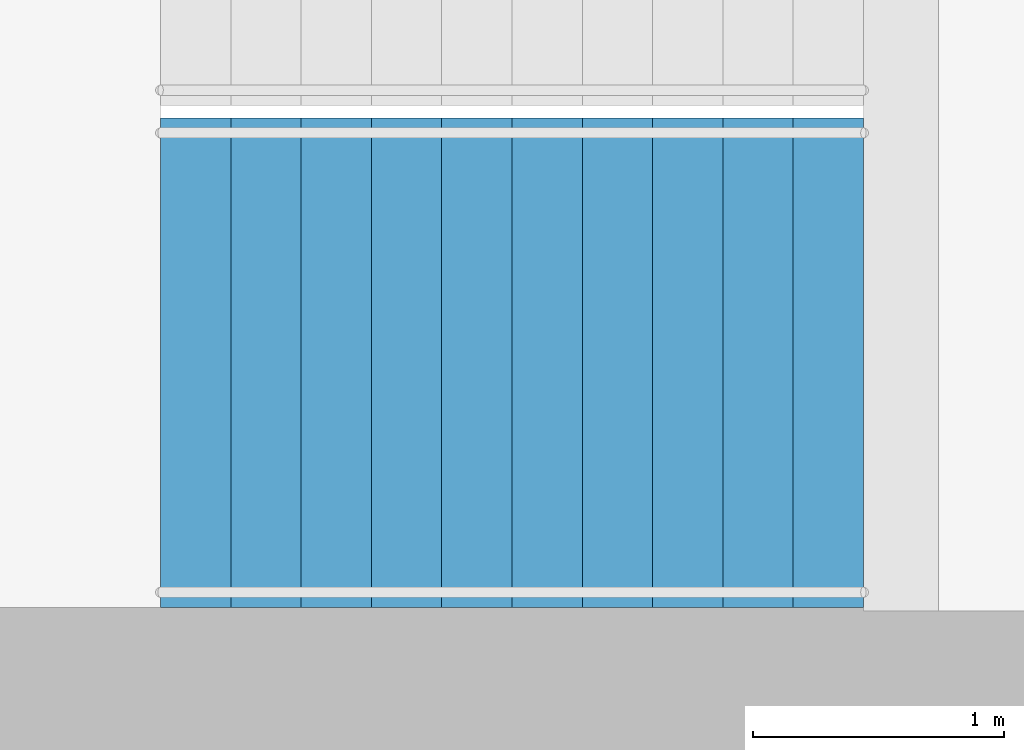
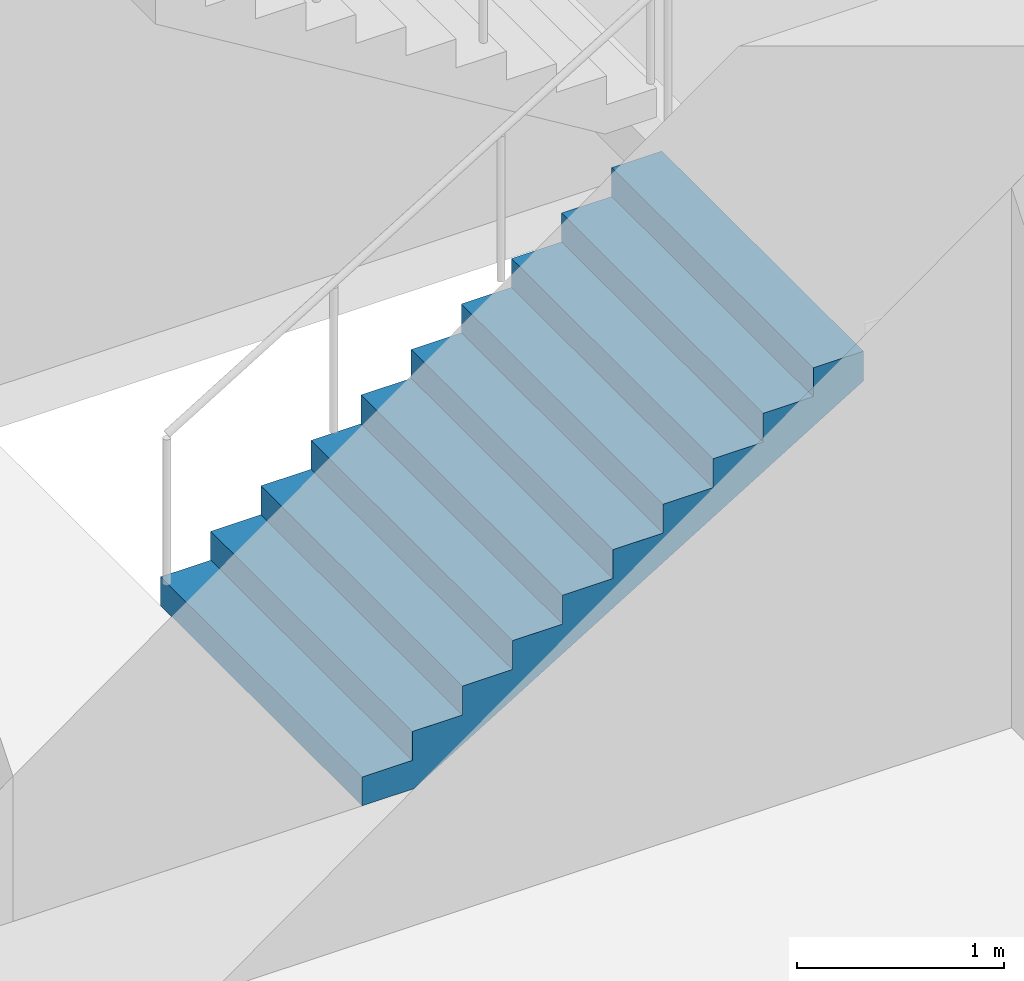
# One storey, part 18 of 22: 1 stair flight, 1 element without a shape of its own.
"""IFC4 building model written with IfcOpenShell, lengths in metres."""

import ifcopenshell
import ifcopenshell.guid

model = None  # the IFC model being written
_history = None  # IfcOwnerHistory: only IFC2X3 demands one
_inside = {}  # id of a spatial element -> (the spatial element, [elements in it])
_under = {}  # id of a project, library or spatial element -> (it, [spatial elements below it])
_declared = {}  # id of a project -> (the project, [libraries it declares])
_typed = {}  # id of a type object -> (the type object, [elements of that type])
_made_of = {}  # id of a material, layer set ... -> (it, [elements and type objects made of it])


def new_model(schema):
    """Start an empty IFC model of exactly this schema.

    Asked for "IFC4X3", IfcOpenShell would pick the latest addendum, in which some entities
    have other attributes; the version numbers below select the first issue.
    IFC2X3 requires an IfcOwnerHistory on every rooted entity: one is made here for all.
    """
    global model, _history
    if schema == "IFC4X3":
        model = ifcopenshell.file(schema_version=(4, 3, 0, 0))
    else:
        model = ifcopenshell.file(schema=schema)
    _inside.clear()
    _under.clear()
    _declared.clear()
    _typed.clear()
    _made_of.clear()
    _history = None
    if model.schema == "IFC2X3":
        org = make("IfcOrganization", Name="unknown")
        user = make(
            "IfcPersonAndOrganization",
            ThePerson=make("IfcPerson", FamilyName="unknown"),
            TheOrganization=org,
        )
        app = make(
            "IfcApplication",
            ApplicationDeveloper=org,
            Version="unknown",
            ApplicationFullName="unknown",
            ApplicationIdentifier="unknown",
        )
        _history = make(
            "IfcOwnerHistory",
            OwningUser=user,
            OwningApplication=app,
            ChangeAction="ADDED",
            CreationDate=0,
        )
    return model


def make(cls, **values):
    """One entity of the class cls with the attributes given. An attribute that is None is left unset."""
    return model.create_entity(
        cls, **{name: value for name, value in values.items() if value is not None}
    )


def rooted(cls, **values):
    """An entity with a GlobalId (a new one), such as an element, a storey or a relation."""
    return make(cls, GlobalId=ifcopenshell.guid.new(), OwnerHistory=_history, **values)


def si_unit(unit_type, name, prefix=None):
    """IfcSIUnit, for example si_unit("LENGTHUNIT", "METRE", prefix="MILLI")."""
    return make("IfcSIUnit", UnitType=unit_type, Prefix=prefix, Name=name)


def assignment(units):
    """IfcUnitAssignment: the units of a project."""
    return None if units is None else make("IfcUnitAssignment", Units=units)


def point(xyz):
    """IfcCartesianPoint."""
    return None if xyz is None else make("IfcCartesianPoint", Coordinates=xyz)


def direction(xyz):
    """IfcDirection."""
    return None if xyz is None else make("IfcDirection", DirectionRatios=xyz)


def frame(location, z_axis=None, x_axis=None):
    """IfcAxis2Placement3D, a coordinate frame: its origin and axes. An axis left out is left unset."""
    return make(
        "IfcAxis2Placement3D",
        Location=point(location),
        Axis=direction(z_axis),
        RefDirection=direction(x_axis),
    )


def origin():
    """The frame at (0, 0, 0) with its axes left unset."""
    return frame((0.0, 0.0, 0.0))


def place(relative_to, where):
    """IfcLocalPlacement: puts the frame where relative to a parent placement (None: the world)."""
    return make(
        "IfcLocalPlacement", PlacementRelTo=relative_to, RelativePlacement=where
    )


def context(
    kind, dimensions, precision=None, world=None, true_north=None, identifier=None
):
    """IfcGeometricRepresentationContext, for example the 3D "Model" context."""
    return make(
        "IfcGeometricRepresentationContext",
        ContextIdentifier=identifier,
        ContextType=kind,
        CoordinateSpaceDimension=dimensions,
        Precision=precision,
        WorldCoordinateSystem=world,
        TrueNorth=true_north,
    )


def subcontext(parent, identifier, kind, view, scale=None):
    """IfcGeometricRepresentationSubContext, for example "Body" below "Model"."""
    return make(
        "IfcGeometricRepresentationSubContext",
        ContextIdentifier=identifier,
        ContextType=kind,
        ParentContext=parent,
        TargetScale=scale,
        TargetView=view,
    )


def project(units=None, contexts=None):
    """IfcProject with its units and contexts."""
    return rooted(
        "IfcProject",
        Name="project",
        RepresentationContexts=contexts,
        UnitsInContext=assignment(units),
    )


def spatial(cls, under=None, at=None, **own):
    """A site, building, storey or space (cls), placed at a placement, below another one or the project."""
    s = rooted(cls, ObjectPlacement=at, **own)
    if under is not None:
        _under.setdefault(under.id(), (under, []))[1].append(s)
    return s


def point_list(points):
    """IfcCartesianPointList2D or 3D."""
    cls = (
        "IfcCartesianPointList2D" if len(points[0]) == 2 else "IfcCartesianPointList3D"
    )
    return make(cls, CoordList=points)


def triangles(points, corners, closed=None, point_numbers=None):
    """IfcTriangulatedFaceSet: each triangle names its three corners, points numbered from 1."""
    return make(
        "IfcTriangulatedFaceSet",
        Coordinates=point_list(points),
        Closed=closed,
        CoordIndex=corners,
        PnIndex=point_numbers,
    )


def shape(context_of_items, identifier, shape_type, items):
    """IfcShapeRepresentation: the items that make up one representation, for example the "Body"."""
    return make(
        "IfcShapeRepresentation",
        ContextOfItems=context_of_items,
        RepresentationIdentifier=identifier,
        RepresentationType=shape_type,
        Items=items,
    )


def material(Name=None, Category=None):
    """IfcMaterial."""
    return make("IfcMaterial", Name=Name, Category=Category)


def made_of(thing, what):
    """Note that an element or type object is made of a material, layer set ...; save() writes the relation."""
    if what is not None:
        _made_of.setdefault(what.id(), (what, []))[1].append(thing)
    return thing


def type_object(cls, material=None, **own):
    """A type object (cls), such as IfcWallType, which elements share."""
    return made_of(rooted(cls, **own), material)


def element(
    cls,
    number,
    at=None,
    inside=None,
    cuts=None,
    type_object=None,
    material=None,
    context=None,
    identifier="Body",
    shape_type=None,
    held_by="IfcProductDefinitionShape",
    body=None,
    shapes=None,
    **own,
):
    """One element of the class cls, such as IfcWall. Its Tag is "e" and its number.

    at: its placement. inside: the storey or other place that contains it. cuts: it is an
    opening in that element (IfcRelVoidsElement). A single representation is given by context,
    identifier, shape_type and body (its items); several are given by shapes. held_by: the class
    of the entity that holds the representations. save() writes the other relations.
    """
    e = rooted(cls, Tag="e%d" % number, ObjectPlacement=at, **own)
    if body is not None:
        shapes = [shape(context, identifier, shape_type, body)]
    if shapes is not None:
        e.Representation = make(held_by, Representations=shapes)
    if inside is not None:
        _inside.setdefault(inside.id(), (inside, []))[1].append(e)
    if cuts is not None:
        rooted(
            "IfcRelVoidsElement", RelatingBuildingElement=cuts, RelatedOpeningElement=e
        )
    if type_object is not None:
        _typed.setdefault(type_object.id(), (type_object, []))[1].append(e)
    return made_of(e, material)


def aggregate(whole, parts):
    """IfcRelAggregates: a whole, such as a stair, and the parts it consists of."""
    return rooted("IfcRelAggregates", RelatingObject=whole, RelatedObjects=parts)


def save(model, path):
    """Write the relations noted so far, then the file.

    IfcRelAggregates (storeys below a building ...), IfcRelContainedInSpatialStructure (elements
    in a storey), IfcRelDefinesByType, IfcRelAssociatesMaterial and IfcRelDeclares: one each for
    every whole, place, type object, material and project.
    """
    for whole, parts in _under.values():
        aggregate(whole, parts)
    for where, things in _inside.values():
        rooted(
            "IfcRelContainedInSpatialStructure",
            RelatedElements=things,
            RelatingStructure=where,
        )
    for kind, things in _typed.values():
        rooted("IfcRelDefinesByType", RelatedObjects=things, RelatingType=kind)
    for what, things in _made_of.values():
        rooted("IfcRelAssociatesMaterial", RelatedObjects=things, RelatingMaterial=what)
    for by, libraries in _declared.values():
        rooted("IfcRelDeclares", RelatingContext=by, RelatedDefinitions=libraries)
    model.write(path)


model = new_model("IFC4")

# Units and contexts
model_context = context("Model", 3, precision=1e-05, world=origin(), true_north=direction((0.0, 1.0)))
body_context = subcontext(model_context, "Body", "Model", "MODEL_VIEW")
ifc_project = project(units=[si_unit("LENGTHUNIT", "METRE"), si_unit("AREAUNIT", "SQUARE_METRE"), si_unit("VOLUMEUNIT", "CUBIC_METRE"), si_unit("PLANEANGLEUNIT", "RADIAN"), si_unit("MASSUNIT", "GRAM", prefix="KILO")], contexts=[model_context])

# Site, building, storey
site_placement = place(None, origin())
site = spatial("IfcSite", under=ifc_project, at=site_placement, CompositionType="ELEMENT")
building_placement = place(site_placement, origin())
building = spatial("IfcBuilding", under=site, at=building_placement, Name="Orbita Commons", CompositionType="ELEMENT")
storey_placement = place(building_placement, frame((0.0, 0.0, 57.699951171875)))
storey = spatial("IfcBuildingStorey", under=building, at=storey_placement, Name="L14", CompositionType="ELEMENT", Elevation=57.699951171875)

# Stair, stair flight
ifc_material_1 = material(Name="Precast concrete C40/50", Category="concrete")
stair_type = type_object("IfcStairType", Name="Exit stair S1 2 flights 11 risers 170", PredefinedType="HALF_TURN_STAIR", material=ifc_material_1)
stair_placement = place(storey_placement, origin())
stair = element("IfcStair", 1, at=stair_placement, inside=storey, type_object=stair_type, Name="Exit stair S1 L14", PredefinedType="HALF_TURN_STAIR")
ifc_material_2 = material(Name="Precast concrete C40/50", Category="concrete")
stair_flight_type = type_object("IfcStairFlightType", Name="Stair flight 11 risers 170 x 280", PredefinedType="STRAIGHT", material=ifc_material_2)
stair_flight_placement = place(storey_placement, frame((20.449951171875, 27.27490234375, 0.0), z_axis=(0.0, 0.0, 1.0), x_axis=(1.0, 0.0, 0.0)))
stair_flight = element("IfcStairFlight", 2, at=stair_flight_placement, type_object=stair_flight_type, Name="S1 flight 1", NumberOfRisers=11, NumberOfTreads=10, PredefinedType="STRAIGHT", RiserHeight=0.170454545, TreadLength=0.28, context=body_context, shape_type="Tessellation", body=[
    triangles([(0.0, 0.974976, 0.0), (0.0, 0.974976, 0.021307), (0.0, 0.81248, 0.021307), (0.0, 0.81248, 0.0), (0.0, 0.649984, 0.021307), (0.0, 0.649984, 0.0), (0.0, 0.487488, 0.021307), (0.0, 0.487488, 0.0), (0.0, 0.324992, 0.021307), (0.0, 0.324992, 0.0), (0.0, 0.162496, 0.021307), (0.0, 0.162496, 0.0), (0.0, 0.0, 0.021307), (0.0, 0.0, 0.0), (0.0, -0.162496, 0.021307), (0.0, -0.162496, 0.0), (0.0, -0.324992, 0.021307), (0.0, -0.324992, 0.0), (0.0, -0.487488, 0.021307), (0.0, -0.487488, 0.0), (0.0, -0.649984, 0.021307), (0.0, -0.649984, 0.0), (0.0, -0.81248, 0.021307), (0.0, -0.81248, 0.0), (0.0, -0.974976, 0.021307), (0.0, -0.974976, 0.0), (0.0, 0.974976, 0.042614), (0.0, 0.81248, 0.042614), (0.0, 0.649984, 0.042614), (0.0, 0.487488, 0.042614), (0.0, 0.324992, 0.042614), (0.0, 0.162496, 0.042614), (0.0, 0.0, 0.042614), (0.0, -0.162496, 0.042614), (0.0, -0.324992, 0.042614), (0.0, -0.487488, 0.042614), (0.0, -0.649984, 0.042614), (0.0, -0.81248, 0.042614), (0.0, -0.974976, 0.042614), (0.0, 0.974976, 0.06392), (0.0, 0.81248, 0.06392), (0.0, 0.649984, 0.06392), (0.0, 0.487488, 0.06392), (0.0, 0.324992, 0.06392), (0.0, 0.162496, 0.06392), (0.0, 0.0, 0.06392), (0.0, -0.162496, 0.06392), (0.0, -0.324992, 0.06392), (0.0, -0.487488, 0.06392), (0.0, -0.649984, 0.06392), (0.0, -0.81248, 0.06392), (0.0, -0.974976, 0.06392), (0.0, 0.974976, 0.085227), (0.0, 0.81248, 0.085227), (0.0, 0.649984, 0.085227), (0.0, 0.487488, 0.085227), (0.0, 0.324992, 0.085227), (0.0, 0.162496, 0.085227), (0.0, 0.0, 0.085227), (0.0, -0.162496, 0.085227), (0.0, -0.324992, 0.085227), (0.0, -0.487488, 0.085227), (0.0, -0.649984, 0.085227), (0.0, -0.81248, 0.085227), (0.0, -0.974976, 0.085227), (0.0, 0.974976, 0.106534), (0.0, 0.81248, 0.106534), (0.0, 0.649984, 0.106534), (0.0, 0.487488, 0.106534), (0.0, 0.324992, 0.106534), (0.0, 0.162496, 0.106534), (0.0, 0.0, 0.106534), (0.0, -0.162496, 0.106534), (0.0, -0.324992, 0.106534), (0.0, -0.487488, 0.106534), (0.0, -0.649984, 0.106534), (0.0, -0.81248, 0.106534), (0.0, -0.974976, 0.106534), (0.0, 0.974976, 0.127841), (0.0, 0.81248, 0.127841), (0.0, 0.649984, 0.127841), (0.0, 0.487488, 0.127841), (0.0, 0.324992, 0.127841), (0.0, 0.162496, 0.127841), (0.0, 0.0, 0.127841), (0.0, -0.162496, 0.127841), (0.0, -0.324992, 0.127841), (0.0, -0.487488, 0.127841), (0.0, -0.649984, 0.127841), (0.0, -0.81248, 0.127841), (0.0, -0.974976, 0.127841), (0.0, 0.974976, 0.149148), (0.0, 0.81248, 0.149148), (0.0, 0.649984, 0.149148), (0.0, 0.487488, 0.149148), (0.0, 0.324992, 0.149148), (0.0, 0.162496, 0.149148), (0.0, 0.0, 0.149148), (0.0, -0.162496, 0.149148), (0.0, -0.324992, 0.149148), (0.0, -0.487488, 0.149148), (0.0, -0.649984, 0.149148), (0.0, -0.81248, 0.149148), (0.0, -0.974976, 0.149148), (0.0, 0.974976, 0.170455), (0.0, 0.81248, 0.170455), (0.0, 0.649984, 0.170455), (0.0, 0.487488, 0.170455), (0.0, 0.324992, 0.170455), (0.0, 0.162496, 0.170455), (0.0, 0.0, 0.170455), (0.0, -0.162496, 0.170455), (0.0, -0.324992, 0.170455), (0.0, -0.487488, 0.170455), (0.0, -0.649984, 0.170455), (0.0, -0.81248, 0.170455), (0.0, -0.974976, 0.170455), (0.28, 0.974976, 0.170455), (0.28, 0.81248, 0.170455), (0.28, 0.649984, 0.170455), (0.28, 0.487488, 0.170455), (0.28, 0.324992, 0.170455), (0.28, 0.162496, 0.170455), (0.28, 0.0, 0.170455), (0.28, -0.162496, 0.170455), (0.28, -0.324992, 0.170455), (0.28, -0.487488, 0.170455), (0.28, -0.649984, 0.170455), (0.28, -0.81248, 0.170455), (0.28, -0.974976, 0.170455), (0.28, 0.974976, 0.340909), (0.28, 0.81248, 0.340909), (0.28, 0.649984, 0.340909), (0.28, 0.487488, 0.340909), (0.28, 0.324992, 0.340909), (0.28, 0.162496, 0.340909), (0.28, 0.0, 0.340909), (0.28, -0.162496, 0.340909), (0.28, -0.324992, 0.340909), (0.28, -0.487488, 0.340909), (0.28, -0.649984, 0.340909), (0.28, -0.81248, 0.340909), (0.28, -0.974976, 0.340909), (0.56, 0.974976, 0.340909), (0.56, 0.81248, 0.340909), (0.56, 0.649984, 0.340909), (0.56, 0.487488, 0.340909), (0.56, 0.324992, 0.340909), (0.56, 0.162496, 0.340909), (0.56, 0.0, 0.340909), (0.56, -0.162496, 0.340909), (0.56, -0.324992, 0.340909), (0.56, -0.487488, 0.340909), (0.56, -0.649984, 0.340909), (0.56, -0.81248, 0.340909), (0.56, -0.974976, 0.340909), (0.56, 0.974976, 0.511364), (0.56, 0.81248, 0.511364), (0.56, 0.649984, 0.511364), (0.56, 0.487488, 0.511364), (0.56, 0.324992, 0.511364), (0.56, 0.162496, 0.511364), (0.56, 0.0, 0.511364), (0.56, -0.162496, 0.511364), (0.56, -0.324992, 0.511364), (0.56, -0.487488, 0.511364), (0.56, -0.649984, 0.511364), (0.56, -0.81248, 0.511364), (0.56, -0.974976, 0.511364), (0.84, 0.974976, 0.511364), (0.84, 0.81248, 0.511364), (0.84, 0.649984, 0.511364), (0.84, 0.487488, 0.511364), (0.84, 0.324992, 0.511364), (0.84, 0.162496, 0.511364), (0.84, 0.0, 0.511364), (0.84, -0.162496, 0.511364), (0.84, -0.324992, 0.511364), (0.84, -0.487488, 0.511364), (0.84, -0.649984, 0.511364), (0.84, -0.81248, 0.511364), (0.84, -0.974976, 0.511364), (0.84, 0.974976, 0.681818), (0.84, 0.81248, 0.681818), (0.84, 0.649984, 0.681818), (0.84, 0.487488, 0.681818), (0.84, 0.324992, 0.681818), (0.84, 0.162496, 0.681818), (0.84, 0.0, 0.681818), (0.84, -0.162496, 0.681818), (0.84, -0.324992, 0.681818), (0.84, -0.487488, 0.681818), (0.84, -0.649984, 0.681818), (0.84, -0.81248, 0.681818), (0.84, -0.974976, 0.681818), (1.12, 0.974976, 0.681818), (1.12, 0.81248, 0.681818), (1.12, 0.649984, 0.681818), (1.12, 0.487488, 0.681818), (1.12, 0.324992, 0.681818), (1.12, 0.162496, 0.681818), (1.12, 0.0, 0.681818), (1.12, -0.162496, 0.681818), (1.12, -0.324992, 0.681818), (1.12, -0.487488, 0.681818), (1.12, -0.649984, 0.681818), (1.12, -0.81248, 0.681818), (1.12, -0.974976, 0.681818), (1.12, 0.974976, 0.852273), (1.12, 0.81248, 0.852273), (1.12, 0.649984, 0.852273), (1.12, 0.487488, 0.852273), (1.12, 0.324992, 0.852273), (1.12, 0.162496, 0.852273), (1.12, 0.0, 0.852273), (1.12, -0.162496, 0.852273), (1.12, -0.324992, 0.852273), (1.12, -0.487488, 0.852273), (1.12, -0.649984, 0.852273), (1.12, -0.81248, 0.852273), (1.12, -0.974976, 0.852273), (1.4, 0.974976, 0.852273), (1.4, 0.81248, 0.852273), (1.4, 0.649984, 0.852273), (1.4, 0.487488, 0.852273), (1.4, 0.324992, 0.852273), (1.4, 0.162496, 0.852273), (1.4, 0.0, 0.852273), (1.4, -0.162496, 0.852273), (1.4, -0.324992, 0.852273), (1.4, -0.487488, 0.852273), (1.4, -0.649984, 0.852273), (1.4, -0.81248, 0.852273), (1.4, -0.974976, 0.852273), (1.4, 0.974976, 1.022727), (1.4, 0.81248, 1.022727), (1.4, 0.649984, 1.022727), (1.4, 0.487488, 1.022727), (1.4, 0.324992, 1.022727), (1.4, 0.162496, 1.022727), (1.4, 0.0, 1.022727), (1.4, -0.162496, 1.022727), (1.4, -0.324992, 1.022727), (1.4, -0.487488, 1.022727), (1.4, -0.649984, 1.022727), (1.4, -0.81248, 1.022727), (1.4, -0.974976, 1.022727), (1.68, 0.974976, 1.022727), (1.68, 0.81248, 1.022727), (1.68, 0.649984, 1.022727), (1.68, 0.487488, 1.022727), (1.68, 0.324992, 1.022727), (1.68, 0.162496, 1.022727), (1.68, 0.0, 1.022727), (1.68, -0.162496, 1.022727), (1.68, -0.324992, 1.022727), (1.68, -0.487488, 1.022727), (1.68, -0.649984, 1.022727), (1.68, -0.81248, 1.022727), (1.68, -0.974976, 1.022727), (1.68, 0.974976, 1.193182), (1.68, 0.81248, 1.193182), (1.68, 0.649984, 1.193182), (1.68, 0.487488, 1.193182), (1.68, 0.324992, 1.193182), (1.68, 0.162496, 1.193182), (1.68, 0.0, 1.193182), (1.68, -0.162496, 1.193182), (1.68, -0.324992, 1.193182), (1.68, -0.487488, 1.193182), (1.68, -0.649984, 1.193182), (1.68, -0.81248, 1.193182), (1.68, -0.974976, 1.193182), (1.96, 0.974976, 1.193182), (1.96, 0.81248, 1.193182), (1.96, 0.649984, 1.193182), (1.96, 0.487488, 1.193182), (1.96, 0.324992, 1.193182), (1.96, 0.162496, 1.193182), (1.96, 0.0, 1.193182), (1.96, -0.162496, 1.193182), (1.96, -0.324992, 1.193182), (1.96, -0.487488, 1.193182), (1.96, -0.649984, 1.193182), (1.96, -0.81248, 1.193182), (1.96, -0.974976, 1.193182), (1.96, 0.974976, 1.363636), (1.96, 0.81248, 1.363636), (1.96, 0.649984, 1.363636), (1.96, 0.487488, 1.363636), (1.96, 0.324992, 1.363636), (1.96, 0.162496, 1.363636), (1.96, 0.0, 1.363636), (1.96, -0.162496, 1.363636), (1.96, -0.324992, 1.363636), (1.96, -0.487488, 1.363636), (1.96, -0.649984, 1.363636), (1.96, -0.81248, 1.363636), (1.96, -0.974976, 1.363636), (2.24, 0.974976, 1.363636), (2.24, 0.81248, 1.363636), (2.24, 0.649984, 1.363636), (2.24, 0.487488, 1.363636), (2.24, 0.324992, 1.363636), (2.24, 0.162496, 1.363636), (2.24, 0.0, 1.363636), (2.24, -0.162496, 1.363636), (2.24, -0.324992, 1.363636), (2.24, -0.487488, 1.363636), (2.24, -0.649984, 1.363636), (2.24, -0.81248, 1.363636), (2.24, -0.974976, 1.363636), (2.24, 0.974976, 1.534091), (2.24, 0.81248, 1.534091), (2.24, 0.649984, 1.534091), (2.24, 0.487488, 1.534091), (2.24, 0.324992, 1.534091), (2.24, 0.162496, 1.534091), (2.24, 0.0, 1.534091), (2.24, -0.162496, 1.534091), (2.24, -0.324992, 1.534091), (2.24, -0.487488, 1.534091), (2.24, -0.649984, 1.534091), (2.24, -0.81248, 1.534091), (2.24, -0.974976, 1.534091), (2.52, 0.974976, 1.534091), (2.52, 0.81248, 1.534091), (2.52, 0.649984, 1.534091), (2.52, 0.487488, 1.534091), (2.52, 0.324992, 1.534091), (2.52, 0.162496, 1.534091), (2.52, 0.0, 1.534091), (2.52, -0.162496, 1.534091), (2.52, -0.324992, 1.534091), (2.52, -0.487488, 1.534091), (2.52, -0.649984, 1.534091), (2.52, -0.81248, 1.534091), (2.52, -0.974976, 1.534091), (2.52, 0.974976, 1.704545), (2.52, 0.81248, 1.704545), (2.52, 0.649984, 1.704545), (2.52, 0.487488, 1.704545), (2.52, 0.324992, 1.704545), (2.52, 0.162496, 1.704545), (2.52, 0.0, 1.704545), (2.52, -0.162496, 1.704545), (2.52, -0.324992, 1.704545), (2.52, -0.487488, 1.704545), (2.52, -0.649984, 1.704545), (2.52, -0.81248, 1.704545), (2.52, -0.974976, 1.704545), (2.8, 0.974976, 1.704545), (2.8, 0.81248, 1.704545), (2.8, 0.649984, 1.704545), (2.8, 0.487488, 1.704545), (2.8, 0.324992, 1.704545), (2.8, 0.162496, 1.704545), (2.8, 0.0, 1.704545), (2.8, -0.162496, 1.704545), (2.8, -0.324992, 1.704545), (2.8, -0.487488, 1.704545), (2.8, -0.649984, 1.704545), (2.8, -0.81248, 1.704545), (2.8, -0.974976, 1.704545), (2.8, 0.974976, 1.682609), (2.8, 0.81248, 1.682609), (2.8, 0.649984, 1.682609), (2.8, 0.487488, 1.682609), (2.8, 0.324992, 1.682609), (2.8, 0.162496, 1.682609), (2.8, 0.0, 1.682609), (2.8, -0.162496, 1.682609), (2.8, -0.324992, 1.682609), (2.8, -0.487488, 1.682609), (2.8, -0.649984, 1.682609), (2.8, -0.81248, 1.682609), (2.8, -0.974976, 1.682609), (2.8, 0.974976, 1.660672), (2.8, 0.81248, 1.660672), (2.8, 0.649984, 1.660672), (2.8, 0.487488, 1.660672), (2.8, 0.324992, 1.660672), (2.8, 0.162496, 1.660672), (2.8, 0.0, 1.660672), (2.8, -0.162496, 1.660672), (2.8, -0.324992, 1.660672), (2.8, -0.487488, 1.660672), (2.8, -0.649984, 1.660672), (2.8, -0.81248, 1.660672), (2.8, -0.974976, 1.660672), (2.8, 0.974976, 1.638735), (2.8, 0.81248, 1.638735), (2.8, 0.649984, 1.638735), (2.8, 0.487488, 1.638735), (2.8, 0.324992, 1.638735), (2.8, 0.162496, 1.638735), (2.8, 0.0, 1.638735), (2.8, -0.162496, 1.638735), (2.8, -0.324992, 1.638735), (2.8, -0.487488, 1.638735), (2.8, -0.649984, 1.638735), (2.8, -0.81248, 1.638735), (2.8, -0.974976, 1.638735), (2.8, 0.974976, 1.616798), (2.8, 0.81248, 1.616798), (2.8, 0.649984, 1.616798), (2.8, 0.487488, 1.616798), (2.8, 0.324992, 1.616798), (2.8, 0.162496, 1.616798), (2.8, 0.0, 1.616798), (2.8, -0.162496, 1.616798), (2.8, -0.324992, 1.616798), (2.8, -0.487488, 1.616798), (2.8, -0.649984, 1.616798), (2.8, -0.81248, 1.616798), (2.8, -0.974976, 1.616798), (2.8, 0.974976, 1.594861), (2.8, 0.81248, 1.594861), (2.8, 0.649984, 1.594861), (2.8, 0.487488, 1.594861), (2.8, 0.324992, 1.594861), (2.8, 0.162496, 1.594861), (2.8, 0.0, 1.594861), (2.8, -0.162496, 1.594861), (2.8, -0.324992, 1.594861), (2.8, -0.487488, 1.594861), (2.8, -0.649984, 1.594861), (2.8, -0.81248, 1.594861), (2.8, -0.974976, 1.594861), (2.8, 0.974976, 1.572925), (2.8, 0.81248, 1.572925), (2.8, 0.649984, 1.572925), (2.8, 0.487488, 1.572925), (2.8, 0.324992, 1.572925), (2.8, 0.162496, 1.572925), (2.8, 0.0, 1.572925), (2.8, -0.162496, 1.572925), (2.8, -0.324992, 1.572925), (2.8, -0.487488, 1.572925), (2.8, -0.649984, 1.572925), (2.8, -0.81248, 1.572925), (2.8, -0.974976, 1.572925), (2.8, 0.974976, 1.550988), (2.8, 0.81248, 1.550988), (2.8, 0.649984, 1.550988), (2.8, 0.487488, 1.550988), (2.8, 0.324992, 1.550988), (2.8, 0.162496, 1.550988), (2.8, 0.0, 1.550988), (2.8, -0.162496, 1.550988), (2.8, -0.324992, 1.550988), (2.8, -0.487488, 1.550988), (2.8, -0.649984, 1.550988), (2.8, -0.81248, 1.550988), (2.8, -0.974976, 1.550988), (2.8, 0.974976, 1.529051), (2.8, 0.81248, 1.529051), (2.8, 0.649984, 1.529051), (2.8, 0.487488, 1.529051), (2.8, 0.324992, 1.529051), (2.8, 0.162496, 1.529051), (2.8, 0.0, 1.529051), (2.8, -0.162496, 1.529051), (2.8, -0.324992, 1.529051), (2.8, -0.487488, 1.529051), (2.8, -0.649984, 1.529051), (2.8, -0.81248, 1.529051), (2.8, -0.974976, 1.529051), (0.288279, 0.974976, 0.0), (0.288279, 0.81248, 0.0), (0.288279, 0.649984, 0.0), (0.288279, 0.487488, 0.0), (0.288279, 0.324992, 0.0), (0.288279, 0.162496, 0.0), (0.288279, 0.0, 0.0), (0.288279, -0.162496, 0.0), (0.288279, -0.324992, 0.0), (0.288279, -0.487488, 0.0), (0.288279, -0.649984, 0.0), (0.288279, -0.81248, 0.0), (0.288279, -0.974976, 0.0)], [[3, 2, 1], [4, 3, 1], [5, 3, 4], [6, 5, 4], [7, 5, 6], [8, 7, 6], [9, 7, 8], [10, 9, 8], [11, 9, 10], [12, 11, 10], [13, 11, 12], [14, 13, 12], [15, 13, 14], [16, 15, 14], [17, 15, 16], [18, 17, 16], [19, 17, 18], [20, 19, 18], [21, 19, 20], [22, 21, 20], [23, 21, 22], [24, 23, 22], [25, 23, 24], [26, 25, 24], [28, 27, 2], [3, 28, 2], [29, 28, 3], [5, 29, 3], [30, 29, 5], [7, 30, 5], [31, 30, 7], [9, 31, 7], [32, 31, 9], [11, 32, 9], [33, 32, 11], [13, 33, 11], [34, 33, 13], [15, 34, 13], [35, 34, 15], [17, 35, 15], [36, 35, 17], [19, 36, 17], [37, 36, 19], [21, 37, 19], [38, 37, 21], [23, 38, 21], [39, 38, 23], [25, 39, 23], [41, 40, 27], [28, 41, 27], [42, 41, 28], [29, 42, 28], [43, 42, 29], [30, 43, 29], [44, 43, 30], [31, 44, 30], [45, 44, 31], [32, 45, 31], [46, 45, 32], [33, 46, 32], [47, 46, 33], [34, 47, 33], [48, 47, 34], [35, 48, 34], [49, 48, 35], [36, 49, 35], [50, 49, 36], [37, 50, 36], [51, 50, 37], [38, 51, 37], [52, 51, 38], [39, 52, 38], [54, 53, 40], [41, 54, 40], [55, 54, 41], [42, 55, 41], [56, 55, 42], [43, 56, 42], [57, 56, 43], [44, 57, 43], [58, 57, 44], [45, 58, 44], [59, 58, 45], [46, 59, 45], [60, 59, 46], [47, 60, 46], [61, 60, 47], [48, 61, 47], [62, 61, 48], [49, 62, 48], [63, 62, 49], [50, 63, 49], [64, 63, 50], [51, 64, 50], [65, 64, 51], [52, 65, 51], [67, 66, 53], [54, 67, 53], [68, 67, 54], [55, 68, 54], [69, 68, 55], [56, 69, 55], [70, 69, 56], [57, 70, 56], [71, 70, 57], [58, 71, 57], [72, 71, 58], [59, 72, 58], [73, 72, 59], [60, 73, 59], [74, 73, 60], [61, 74, 60], [75, 74, 61], [62, 75, 61], [76, 75, 62], [63, 76, 62], [77, 76, 63], [64, 77, 63], [78, 77, 64], [65, 78, 64], [80, 79, 66], [67, 80, 66], [81, 80, 67], [68, 81, 67], [82, 81, 68], [69, 82, 68], [83, 82, 69], [70, 83, 69], [84, 83, 70], [71, 84, 70], [85, 84, 71], [72, 85, 71], [86, 85, 72], [73, 86, 72], [87, 86, 73], [74, 87, 73], [88, 87, 74], [75, 88, 74], [89, 88, 75], [76, 89, 75], [90, 89, 76], [77, 90, 76], [91, 90, 77], [78, 91, 77], [93, 92, 79], [80, 93, 79], [94, 93, 80], [81, 94, 80], [95, 94, 81], [82, 95, 81], [96, 95, 82], [83, 96, 82], [97, 96, 83], [84, 97, 83], [98, 97, 84], [85, 98, 84], [99, 98, 85], [86, 99, 85], [100, 99, 86], [87, 100, 86], [101, 100, 87], [88, 101, 87], [102, 101, 88], [89, 102, 88], [103, 102, 89], [90, 103, 89], [104, 103, 90], [91, 104, 90], [106, 105, 92], [93, 106, 92], [107, 106, 93], [94, 107, 93], [108, 107, 94], [95, 108, 94], [109, 108, 95], [96, 109, 95], [110, 109, 96], [97, 110, 96], [111, 110, 97], [98, 111, 97], [112, 111, 98], [99, 112, 98], [113, 112, 99], [100, 113, 99], [114, 113, 100], [101, 114, 100], [115, 114, 101], [102, 115, 101], [116, 115, 102], [103, 116, 102], [117, 116, 103], [104, 117, 103], [119, 118, 105], [106, 119, 105], [120, 119, 106], [107, 120, 106], [121, 120, 107], [108, 121, 107], [122, 121, 108], [109, 122, 108], [123, 122, 109], [110, 123, 109], [124, 123, 110], [111, 124, 110], [125, 124, 111], [112, 125, 111], [126, 125, 112], [113, 126, 112], [127, 126, 113], [114, 127, 113], [128, 127, 114], [115, 128, 114], [129, 128, 115], [116, 129, 115], [130, 129, 116], [117, 130, 116], [132, 131, 118], [119, 132, 118], [133, 132, 119], [120, 133, 119], [134, 133, 120], [121, 134, 120], [135, 134, 121], [122, 135, 121], [136, 135, 122], [123, 136, 122], [137, 136, 123], [124, 137, 123], [138, 137, 124], [125, 138, 124], [139, 138, 125], [126, 139, 125], [140, 139, 126], [127, 140, 126], [141, 140, 127], [128, 141, 127], [142, 141, 128], [129, 142, 128], [143, 142, 129], [130, 143, 129], [145, 144, 131], [132, 145, 131], [146, 145, 132], [133, 146, 132], [147, 146, 133], [134, 147, 133], [148, 147, 134], [135, 148, 134], [149, 148, 135], [136, 149, 135], [150, 149, 136], [137, 150, 136], [151, 150, 137], [138, 151, 137], [152, 151, 138], [139, 152, 138], [153, 152, 139], [140, 153, 139], [154, 153, 140], [141, 154, 140], [155, 154, 141], [142, 155, 141], [156, 155, 142], [143, 156, 142], [158, 157, 144], [145, 158, 144], [159, 158, 145], [146, 159, 145], [160, 159, 146], [147, 160, 146], [161, 160, 147], [148, 161, 147], [162, 161, 148], [149, 162, 148], [163, 162, 149], [150, 163, 149], [164, 163, 150], [151, 164, 150], [165, 164, 151], [152, 165, 151], [166, 165, 152], [153, 166, 152], [167, 166, 153], [154, 167, 153], [168, 167, 154], [155, 168, 154], [169, 168, 155], [156, 169, 155], [171, 170, 157], [158, 171, 157], [172, 171, 158], [159, 172, 158], [173, 172, 159], [160, 173, 159], [174, 173, 160], [161, 174, 160], [175, 174, 161], [162, 175, 161], [176, 175, 162], [163, 176, 162], [177, 176, 163], [164, 177, 163], [178, 177, 164], [165, 178, 164], [179, 178, 165], [166, 179, 165], [180, 179, 166], [167, 180, 166], [181, 180, 167], [168, 181, 167], [182, 181, 168], [169, 182, 168], [184, 183, 170], [171, 184, 170], [185, 184, 171], [172, 185, 171], [186, 185, 172], [173, 186, 172], [187, 186, 173], [174, 187, 173], [188, 187, 174], [175, 188, 174], [189, 188, 175], [176, 189, 175], [190, 189, 176], [177, 190, 176], [191, 190, 177], [178, 191, 177], [192, 191, 178], [179, 192, 178], [193, 192, 179], [180, 193, 179], [194, 193, 180], [181, 194, 180], [195, 194, 181], [182, 195, 181], [197, 196, 183], [184, 197, 183], [198, 197, 184], [185, 198, 184], [199, 198, 185], [186, 199, 185], [200, 199, 186], [187, 200, 186], [201, 200, 187], [188, 201, 187], [202, 201, 188], [189, 202, 188], [203, 202, 189], [190, 203, 189], [204, 203, 190], [191, 204, 190], [205, 204, 191], [192, 205, 191], [206, 205, 192], [193, 206, 192], [207, 206, 193], [194, 207, 193], [208, 207, 194], [195, 208, 194], [210, 209, 196], [197, 210, 196], [211, 210, 197], [198, 211, 197], [212, 211, 198], [199, 212, 198], [213, 212, 199], [200, 213, 199], [214, 213, 200], [201, 214, 200], [215, 214, 201], [202, 215, 201], [216, 215, 202], [203, 216, 202], [217, 216, 203], [204, 217, 203], [218, 217, 204], [205, 218, 204], [219, 218, 205], [206, 219, 205], [220, 219, 206], [207, 220, 206], [221, 220, 207], [208, 221, 207], [223, 222, 209], [210, 223, 209], [224, 223, 210], [211, 224, 210], [225, 224, 211], [212, 225, 211], [226, 225, 212], [213, 226, 212], [227, 226, 213], [214, 227, 213], [228, 227, 214], [215, 228, 214], [229, 228, 215], [216, 229, 215], [230, 229, 216], [217, 230, 216], [231, 230, 217], [218, 231, 217], [232, 231, 218], [219, 232, 218], [233, 232, 219], [220, 233, 219], [234, 233, 220], [221, 234, 220], [236, 235, 222], [223, 236, 222], [237, 236, 223], [224, 237, 223], [238, 237, 224], [225, 238, 224], [239, 238, 225], [226, 239, 225], [240, 239, 226], [227, 240, 226], [241, 240, 227], [228, 241, 227], [242, 241, 228], [229, 242, 228], [243, 242, 229], [230, 243, 229], [244, 243, 230], [231, 244, 230], [245, 244, 231], [232, 245, 231], [246, 245, 232], [233, 246, 232], [247, 246, 233], [234, 247, 233], [249, 248, 235], [236, 249, 235], [250, 249, 236], [237, 250, 236], [251, 250, 237], [238, 251, 237], [252, 251, 238], [239, 252, 238], [253, 252, 239], [240, 253, 239], [254, 253, 240], [241, 254, 240], [255, 254, 241], [242, 255, 241], [256, 255, 242], [243, 256, 242], [257, 256, 243], [244, 257, 243], [258, 257, 244], [245, 258, 244], [259, 258, 245], [246, 259, 245], [260, 259, 246], [247, 260, 246], [262, 261, 248], [249, 262, 248], [263, 262, 249], [250, 263, 249], [264, 263, 250], [251, 264, 250], [265, 264, 251], [252, 265, 251], [266, 265, 252], [253, 266, 252], [267, 266, 253], [254, 267, 253], [268, 267, 254], [255, 268, 254], [269, 268, 255], [256, 269, 255], [270, 269, 256], [257, 270, 256], [271, 270, 257], [258, 271, 257], [272, 271, 258], [259, 272, 258], [273, 272, 259], [260, 273, 259], [275, 274, 261], [262, 275, 261], [276, 275, 262], [263, 276, 262], [277, 276, 263], [264, 277, 263], [278, 277, 264], [265, 278, 264], [279, 278, 265], [266, 279, 265], [280, 279, 266], [267, 280, 266], [281, 280, 267], [268, 281, 267], [282, 281, 268], [269, 282, 268], [283, 282, 269], [270, 283, 269], [284, 283, 270], [271, 284, 270], [285, 284, 271], [272, 285, 271], [286, 285, 272], [273, 286, 272], [288, 287, 274], [275, 288, 274], [289, 288, 275], [276, 289, 275], [290, 289, 276], [277, 290, 276], [291, 290, 277], [278, 291, 277], [292, 291, 278], [279, 292, 278], [293, 292, 279], [280, 293, 279], [294, 293, 280], [281, 294, 280], [295, 294, 281], [282, 295, 281], [296, 295, 282], [283, 296, 282], [297, 296, 283], [284, 297, 283], [298, 297, 284], [285, 298, 284], [299, 298, 285], [286, 299, 285], [301, 300, 287], [288, 301, 287], [302, 301, 288], [289, 302, 288], [303, 302, 289], [290, 303, 289], [304, 303, 290], [291, 304, 290], [305, 304, 291], [292, 305, 291], [306, 305, 292], [293, 306, 292], [307, 306, 293], [294, 307, 293], [308, 307, 294], [295, 308, 294], [309, 308, 295], [296, 309, 295], [310, 309, 296], [297, 310, 296], [311, 310, 297], [298, 311, 297], [312, 311, 298], [299, 312, 298], [314, 313, 300], [301, 314, 300], [315, 314, 301], [302, 315, 301], [316, 315, 302], [303, 316, 302], [317, 316, 303], [304, 317, 303], [318, 317, 304], [305, 318, 304], [319, 318, 305], [306, 319, 305], [320, 319, 306], [307, 320, 306], [321, 320, 307], [308, 321, 307], [322, 321, 308], [309, 322, 308], [323, 322, 309], [310, 323, 309], [324, 323, 310], [311, 324, 310], [325, 324, 311], [312, 325, 311], [327, 326, 313], [314, 327, 313], [328, 327, 314], [315, 328, 314], [329, 328, 315], [316, 329, 315], [330, 329, 316], [317, 330, 316], [331, 330, 317], [318, 331, 317], [332, 331, 318], [319, 332, 318], [333, 332, 319], [320, 333, 319], [334, 333, 320], [321, 334, 320], [335, 334, 321], [322, 335, 321], [336, 335, 322], [323, 336, 322], [337, 336, 323], [324, 337, 323], [338, 337, 324], [325, 338, 324], [340, 339, 326], [327, 340, 326], [341, 340, 327], [328, 341, 327], [342, 341, 328], [329, 342, 328], [343, 342, 329], [330, 343, 329], [344, 343, 330], [331, 344, 330], [345, 344, 331], [332, 345, 331], [346, 345, 332], [333, 346, 332], [347, 346, 333], [334, 347, 333], [348, 347, 334], [335, 348, 334], [349, 348, 335], [336, 349, 335], [350, 349, 336], [337, 350, 336], [351, 350, 337], [338, 351, 337], [353, 352, 339], [340, 353, 339], [354, 353, 340], [341, 354, 340], [355, 354, 341], [342, 355, 341], [356, 355, 342], [343, 356, 342], [357, 356, 343], [344, 357, 343], [358, 357, 344], [345, 358, 344], [359, 358, 345], [346, 359, 345], [360, 359, 346], [347, 360, 346], [361, 360, 347], [348, 361, 347], [362, 361, 348], [349, 362, 348], [363, 362, 349], [350, 363, 349], [364, 363, 350], [351, 364, 350], [366, 365, 352], [353, 366, 352], [367, 366, 353], [354, 367, 353], [368, 367, 354], [355, 368, 354], [369, 368, 355], [356, 369, 355], [370, 369, 356], [357, 370, 356], [371, 370, 357], [358, 371, 357], [372, 371, 358], [359, 372, 358], [373, 372, 359], [360, 373, 359], [374, 373, 360], [361, 374, 360], [375, 374, 361], [362, 375, 361], [376, 375, 362], [363, 376, 362], [377, 376, 363], [364, 377, 363], [379, 378, 365], [366, 379, 365], [380, 379, 366], [367, 380, 366], [381, 380, 367], [368, 381, 367], [382, 381, 368], [369, 382, 368], [383, 382, 369], [370, 383, 369], [384, 383, 370], [371, 384, 370], [385, 384, 371], [372, 385, 371], [386, 385, 372], [373, 386, 372], [387, 386, 373], [374, 387, 373], [388, 387, 374], [375, 388, 374], [389, 388, 375], [376, 389, 375], [390, 389, 376], [377, 390, 376], [392, 391, 378], [379, 392, 378], [393, 392, 379], [380, 393, 379], [394, 393, 380], [381, 394, 380], [395, 394, 381], [382, 395, 381], [396, 395, 382], [383, 396, 382], [397, 396, 383], [384, 397, 383], [398, 397, 384], [385, 398, 384], [399, 398, 385], [386, 399, 385], [400, 399, 386], [387, 400, 386], [401, 400, 387], [388, 401, 387], [402, 401, 388], [389, 402, 388], [403, 402, 389], [390, 403, 389], [405, 404, 391], [392, 405, 391], [406, 405, 392], [393, 406, 392], [407, 406, 393], [394, 407, 393], [408, 407, 394], [395, 408, 394], [409, 408, 395], [396, 409, 395], [410, 409, 396], [397, 410, 396], [411, 410, 397], [398, 411, 397], [412, 411, 398], [399, 412, 398], [413, 412, 399], [400, 413, 399], [414, 413, 400], [401, 414, 400], [415, 414, 401], [402, 415, 401], [416, 415, 402], [403, 416, 402], [418, 417, 404], [405, 418, 404], [419, 418, 405], [406, 419, 405], [420, 419, 406], [407, 420, 406], [421, 420, 407], [408, 421, 407], [422, 421, 408], [409, 422, 408], [423, 422, 409], [410, 423, 409], [424, 423, 410], [411, 424, 410], [425, 424, 411], [412, 425, 411], [426, 425, 412], [413, 426, 412], [427, 426, 413], [414, 427, 413], [428, 427, 414], [415, 428, 414], [429, 428, 415], [416, 429, 415], [431, 430, 417], [418, 431, 417], [432, 431, 418], [419, 432, 418], [433, 432, 419], [420, 433, 419], [434, 433, 420], [421, 434, 420], [435, 434, 421], [422, 435, 421], [436, 435, 422], [423, 436, 422], [437, 436, 423], [424, 437, 423], [438, 437, 424], [425, 438, 424], [439, 438, 425], [426, 439, 425], [440, 439, 426], [427, 440, 426], [441, 440, 427], [428, 441, 427], [442, 441, 428], [429, 442, 428], [444, 443, 430], [431, 444, 430], [445, 444, 431], [432, 445, 431], [446, 445, 432], [433, 446, 432], [447, 446, 433], [434, 447, 433], [448, 447, 434], [435, 448, 434], [449, 448, 435], [436, 449, 435], [450, 449, 436], [437, 450, 436], [451, 450, 437], [438, 451, 437], [452, 451, 438], [439, 452, 438], [453, 452, 439], [440, 453, 439], [454, 453, 440], [441, 454, 440], [455, 454, 441], [442, 455, 441], [457, 456, 443], [444, 457, 443], [458, 457, 444], [445, 458, 444], [459, 458, 445], [446, 459, 445], [460, 459, 446], [447, 460, 446], [461, 460, 447], [448, 461, 447], [462, 461, 448], [449, 462, 448], [463, 462, 449], [450, 463, 449], [464, 463, 450], [451, 464, 450], [465, 464, 451], [452, 465, 451], [466, 465, 452], [453, 466, 452], [467, 466, 453], [454, 467, 453], [468, 467, 454], [455, 468, 454], [470, 469, 456], [457, 470, 456], [471, 470, 457], [458, 471, 457], [472, 471, 458], [459, 472, 458], [473, 472, 459], [460, 473, 459], [474, 473, 460], [461, 474, 460], [475, 474, 461], [462, 475, 461], [476, 475, 462], [463, 476, 462], [477, 476, 463], [464, 477, 463], [478, 477, 464], [465, 478, 464], [479, 478, 465], [466, 479, 465], [480, 479, 466], [467, 480, 466], [481, 480, 467], [468, 481, 467], [4, 1, 469], [470, 4, 469], [6, 4, 470], [471, 6, 470], [8, 6, 471], [472, 8, 471], [10, 8, 472], [473, 10, 472], [12, 10, 473], [474, 12, 473], [14, 12, 474], [475, 14, 474], [16, 14, 475], [476, 16, 475], [18, 16, 476], [477, 18, 476], [20, 18, 477], [478, 20, 477], [22, 20, 478], [479, 22, 478], [24, 22, 479], [480, 24, 479], [26, 24, 480], [481, 26, 480], [456, 469, 1], [26, 481, 468], [443, 456, 1], [26, 468, 455], [430, 443, 1], [26, 455, 442], [417, 430, 1], [26, 442, 429], [404, 417, 1], [26, 429, 416], [391, 404, 1], [26, 416, 403], [378, 391, 1], [26, 403, 390], [365, 378, 1], [26, 390, 377], [339, 352, 365], [377, 364, 351], [326, 339, 365], [377, 351, 338], [300, 313, 326], [338, 325, 312], [300, 326, 365], [377, 338, 312], [274, 287, 300], [312, 299, 286], [274, 300, 365], [377, 312, 286], [248, 261, 274], [286, 273, 260], [248, 274, 365], [377, 286, 260], [222, 235, 248], [260, 247, 234], [222, 248, 365], [377, 260, 234], [196, 209, 222], [234, 221, 208], [196, 222, 365], [377, 234, 208], [170, 183, 196], [208, 195, 182], [170, 196, 365], [377, 208, 182], [144, 157, 170], [182, 169, 156], [144, 170, 365], [377, 182, 156], [118, 131, 144], [156, 143, 130], [118, 144, 365], [377, 156, 130], [118, 365, 1], [26, 377, 130], [92, 105, 118], [130, 117, 104], [79, 92, 118], [130, 104, 91], [66, 79, 118], [130, 91, 78], [53, 66, 118], [130, 78, 65], [40, 53, 118], [130, 65, 52], [27, 40, 118], [130, 52, 39], [2, 27, 118], [130, 39, 25], [1, 2, 118], [130, 25, 26]], closed=True),
])
aggregate(stair, [stair_flight])

save(model, "model.ifc")
